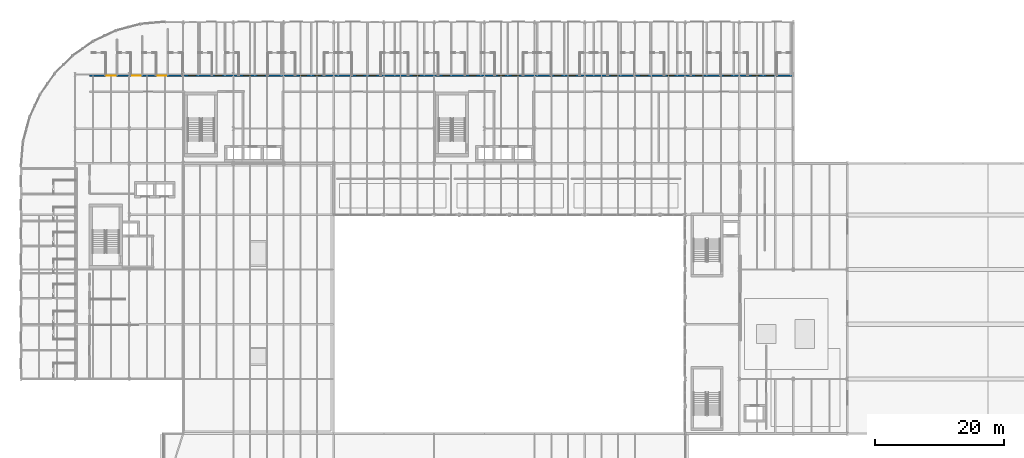
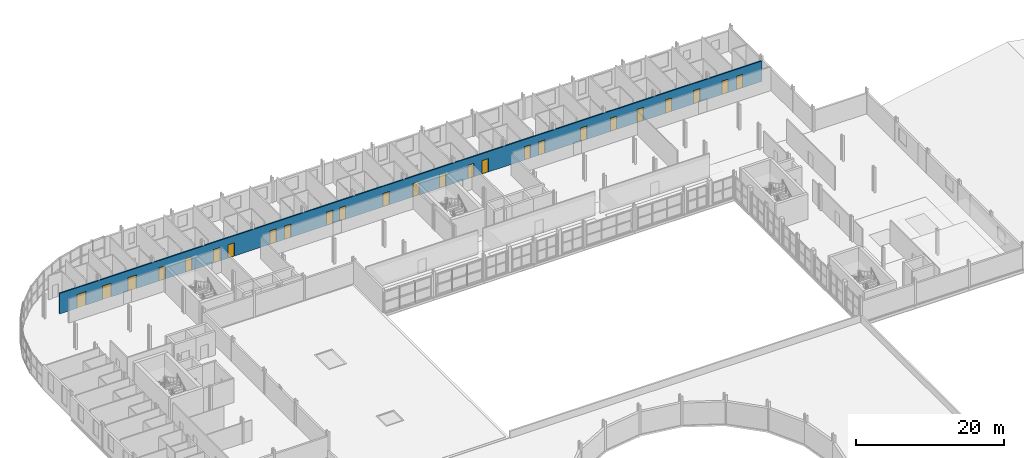
# One storey, part 46 of 58: 25 doors, 1 wall, 25 openings.
"""IFC4 building model written with IfcOpenShell, lengths in metres."""

from ifc_helpers import new_model, si_unit, direction, frame, frame_2d, origin, place, context, subcontext, project, spatial, rectangle, extrude, material, layer, layer_set, type_object, element, fill, save


model = new_model("IFC4")

# Units and contexts
model_context = context("Model", 3, precision=1e-05, world=origin(), true_north=direction((0.0, 1.0)))
body_context = subcontext(model_context, "Body", "Model", "MODEL_VIEW")
ifc_project = project(units=[si_unit("LENGTHUNIT", "METRE"), si_unit("AREAUNIT", "SQUARE_METRE"), si_unit("VOLUMEUNIT", "CUBIC_METRE"), si_unit("PLANEANGLEUNIT", "RADIAN"), si_unit("MASSUNIT", "GRAM", prefix="KILO")], contexts=[model_context])

# Site, building, storey
site_placement = place(None, origin())
site = spatial("IfcSite", under=ifc_project, at=site_placement, CompositionType="ELEMENT")
building_placement = place(site_placement, origin())
building = spatial("IfcBuilding", under=site, at=building_placement, Name="Sefraquen Railside Congress Hotel", CompositionType="ELEMENT")
storey_placement = place(building_placement, frame((0.0, 0.0, 16.199951171875)))
storey = spatial("IfcBuildingStorey", under=building, at=storey_placement, Name="L03", CompositionType="ELEMENT", Elevation=16.199951171875)

# Wall, openings, doors
ifc_material_1 = material(Name="Acoustic gypsum board on metal stud", Category="gypsum")
ifc_layer = layer(ifc_material_1, 0.199951171875)
ifc_layer_set = layer_set([ifc_layer], Name="Acoustic gypsum board on metal stud")
wall_type = type_object("IfcWallType", Name="TW-PW-200", PredefinedType="PARTITIONING", material=ifc_layer_set)
wall_placement = place(storey_placement, frame((10.64990234375, 109.60009765625, 0.0), z_axis=(0.0, 0.0, 1.0), x_axis=(1.0, 0.0, 0.0)))
wall = element("IfcWall", 1, at=wall_placement, inside=storey, type_object=wall_type, Name="Hotel L03 north corridor fire-rated partition", PredefinedType="PARTITIONING", context=body_context, shape_type="SweptSolid", body=[
    extrude(rectangle(XDim=109.210205078125, YDim=0.199951171875, at=frame_2d((54.60498046875, 0.0))), origin(), (0.0, 0.0, 1.0), 3.360107421875),
])
opening_1_placement = place(wall_placement, frame((15.429931640625, 0.0, 0.0)))
opening_1 = element("IfcOpeningElement", 2, at=opening_1_placement, cuts=wall, Name="Opening GD-01", PredefinedType="OPENING", context=body_context, shape_type="SweptSolid", body=[
    extrude(rectangle(XDim=1.02001953125, YDim=2.199951171875, at=frame_2d((0.510009765625, 1.10009765625))), frame((0.0, 0.10986328125, 0.0), z_axis=(0.0, -1.0, 0.0), x_axis=(1.0, 0.0, 0.0)), (0.0, 0.0, 1.0), 0.219970703125),
])
opening_2_placement = place(wall_placement, frame((19.537109375, 0.0, 0.0)))
opening_2 = element("IfcOpeningElement", 3, at=opening_2_placement, cuts=wall, Name="Opening GD-01", PredefinedType="OPENING", context=body_context, shape_type="SweptSolid", body=[
    extrude(rectangle(XDim=1.02001953125, YDim=2.199951171875, at=frame_2d((0.510009765625, 1.10009765625))), frame((0.0, 0.10986328125, 0.0), z_axis=(0.0, -1.0, 0.0), x_axis=(1.0, 0.0, 0.0)), (0.0, 0.0, 1.0), 0.219970703125),
])
opening_3_placement = place(wall_placement, frame((23.927978515625, 0.0, 0.0)))
opening_3 = element("IfcOpeningElement", 4, at=opening_3_placement, cuts=wall, Name="Opening GD-01", PredefinedType="OPENING", context=body_context, shape_type="SweptSolid", body=[
    extrude(rectangle(XDim=1.02001953125, YDim=2.199951171875, at=frame_2d((0.510009765625, 1.10009765625))), frame((0.0, 0.10986328125, 0.0), z_axis=(0.0, -1.0, 0.0), x_axis=(1.0, 0.0, 0.0)), (0.0, 0.0, 1.0), 0.219970703125),
])
opening_4_placement = place(wall_placement, frame((26.1689453125, 0.0, 0.0)))
opening_4 = element("IfcOpeningElement", 5, at=opening_4_placement, cuts=wall, Name="Opening GD-01", PredefinedType="OPENING", context=body_context, shape_type="SweptSolid", body=[
    extrude(rectangle(XDim=1.02001953125, YDim=2.199951171875, at=frame_2d((0.510009765625, 1.10009765625))), frame((0.0, 0.10986328125, 0.0), z_axis=(0.0, -1.0, 0.0), x_axis=(1.0, 0.0, 0.0)), (0.0, 0.0, 1.0), 0.219970703125),
])
opening_5_placement = place(wall_placement, frame((32.739013671875, 0.0, 0.0)))
opening_5 = element("IfcOpeningElement", 6, at=opening_5_placement, cuts=wall, Name="Opening GD-02", PredefinedType="OPENING", context=body_context, shape_type="SweptSolid", body=[
    extrude(rectangle(XDim=0.9599609375, YDim=2.199951171875, at=frame_2d((0.47998046875, 1.10009765625))), frame((0.0, 0.10986328125, 0.0), z_axis=(0.0, -1.0, 0.0), x_axis=(1.0, 0.0, 0.0)), (0.0, 0.0, 1.0), 0.219970703125),
])
opening_6_placement = place(wall_placement, frame((34.97998046875, 0.0, 0.0)))
opening_6 = element("IfcOpeningElement", 7, at=opening_6_placement, cuts=wall, Name="Opening GD-02", PredefinedType="OPENING", context=body_context, shape_type="SweptSolid", body=[
    extrude(rectangle(XDim=0.9599609375, YDim=2.199951171875, at=frame_2d((0.47998046875, 1.10009765625))), frame((0.0, 0.10986328125, 0.0), z_axis=(0.0, -1.0, 0.0), x_axis=(1.0, 0.0, 0.0)), (0.0, 0.0, 1.0), 0.219970703125),
])
opening_7_placement = place(wall_placement, frame((41.52099609375, 0.0, 0.0)))
opening_7 = element("IfcOpeningElement", 8, at=opening_7_placement, cuts=wall, Name="Opening GD-02", PredefinedType="OPENING", context=body_context, shape_type="SweptSolid", body=[
    extrude(rectangle(XDim=0.9599609375, YDim=2.199951171875, at=frame_2d((0.47998046875, 1.10009765625))), frame((0.0, 0.10986328125, 0.0), z_axis=(0.0, -1.0, 0.0), x_axis=(1.0, 0.0, 0.0)), (0.0, 0.0, 1.0), 0.219970703125),
])
opening_8_placement = place(wall_placement, frame((43.511962890625, 0.0, 0.0)))
opening_8 = element("IfcOpeningElement", 9, at=opening_8_placement, cuts=wall, Name="Opening GD-02", PredefinedType="OPENING", context=body_context, shape_type="SweptSolid", body=[
    extrude(rectangle(XDim=0.9599609375, YDim=2.199951171875, at=frame_2d((0.47998046875, 1.10009765625))), frame((0.0, 0.10986328125, 0.0), z_axis=(0.0, -1.0, 0.0), x_axis=(1.0, 0.0, 0.0)), (0.0, 0.0, 1.0), 0.219970703125),
])
opening_9_placement = place(wall_placement, frame((50.302978515625, 0.0, 0.0)))
opening_9 = element("IfcOpeningElement", 10, at=opening_9_placement, cuts=wall, Name="Opening GD-02", PredefinedType="OPENING", context=body_context, shape_type="SweptSolid", body=[
    extrude(rectangle(XDim=0.9599609375, YDim=2.199951171875, at=frame_2d((0.47998046875, 1.10009765625))), frame((0.0, 0.10986328125, 0.0), z_axis=(0.0, -1.0, 0.0), x_axis=(1.0, 0.0, 0.0)), (0.0, 0.0, 1.0), 0.219970703125),
])
opening_10_placement = place(wall_placement, frame((54.944091796875, 0.0, 0.0)))
opening_10 = element("IfcOpeningElement", 11, at=opening_10_placement, cuts=wall, Name="Opening GD-02", PredefinedType="OPENING", context=body_context, shape_type="SweptSolid", body=[
    extrude(rectangle(XDim=0.9599609375, YDim=2.199951171875, at=frame_2d((0.47998046875, 1.10009765625))), frame((0.0, 0.10986328125, 0.0), z_axis=(0.0, -1.0, 0.0), x_axis=(1.0, 0.0, 0.0)), (0.0, 0.0, 1.0), 0.219970703125),
])
opening_11_placement = place(wall_placement, frame((59.0849609375, 0.0, 0.0)))
opening_11 = element("IfcOpeningElement", 12, at=opening_11_placement, cuts=wall, Name="Opening GD-02", PredefinedType="OPENING", context=body_context, shape_type="SweptSolid", body=[
    extrude(rectangle(XDim=0.9599609375, YDim=2.199951171875, at=frame_2d((0.47998046875, 1.10009765625))), frame((0.0, 0.10986328125, 0.0), z_axis=(0.0, -1.0, 0.0), x_axis=(1.0, 0.0, 0.0)), (0.0, 0.0, 1.0), 0.219970703125),
])
opening_12_placement = place(wall_placement, frame((63.47607421875, 0.0, 0.0)))
opening_12 = element("IfcOpeningElement", 13, at=opening_12_placement, cuts=wall, Name="Opening GD-02", PredefinedType="OPENING", context=body_context, shape_type="SweptSolid", body=[
    extrude(rectangle(XDim=0.9599609375, YDim=2.199951171875, at=frame_2d((0.47998046875, 1.10009765625))), frame((0.0, 0.10986328125, 0.0), z_axis=(0.0, -1.0, 0.0), x_axis=(1.0, 0.0, 0.0)), (0.0, 0.0, 1.0), 0.219970703125),
])
opening_13_placement = place(wall_placement, frame((65.716064453125, 0.0, 0.0)))
opening_13 = element("IfcOpeningElement", 14, at=opening_13_placement, cuts=wall, Name="Opening GD-02", PredefinedType="OPENING", context=body_context, shape_type="SweptSolid", body=[
    extrude(rectangle(XDim=0.9599609375, YDim=2.199951171875, at=frame_2d((0.47998046875, 1.10009765625))), frame((0.0, 0.10986328125, 0.0), z_axis=(0.0, -1.0, 0.0), x_axis=(1.0, 0.0, 0.0)), (0.0, 0.0, 1.0), 0.219970703125),
])
opening_14_placement = place(wall_placement, frame((72.257080078125, 0.0, 0.0)))
opening_14 = element("IfcOpeningElement", 15, at=opening_14_placement, cuts=wall, Name="Opening GD-02", PredefinedType="OPENING", context=body_context, shape_type="SweptSolid", body=[
    extrude(rectangle(XDim=0.9599609375, YDim=2.199951171875, at=frame_2d((0.47998046875, 1.10009765625))), frame((0.0, 0.10986328125, 0.0), z_axis=(0.0, -1.0, 0.0), x_axis=(1.0, 0.0, 0.0)), (0.0, 0.0, 1.0), 0.219970703125),
])
opening_15_placement = place(wall_placement, frame((74.498046875, 0.0, 0.0)))
opening_15 = element("IfcOpeningElement", 16, at=opening_15_placement, cuts=wall, Name="Opening GD-02", PredefinedType="OPENING", context=body_context, shape_type="SweptSolid", body=[
    extrude(rectangle(XDim=0.9599609375, YDim=2.199951171875, at=frame_2d((0.47998046875, 1.10009765625))), frame((0.0, 0.10986328125, 0.0), z_axis=(0.0, -1.0, 0.0), x_axis=(1.0, 0.0, 0.0)), (0.0, 0.0, 1.0), 0.219970703125),
])
opening_16_placement = place(wall_placement, frame((81.0390625, 0.0, 0.0)))
opening_16 = element("IfcOpeningElement", 17, at=opening_16_placement, cuts=wall, Name="Opening GD-02", PredefinedType="OPENING", context=body_context, shape_type="SweptSolid", body=[
    extrude(rectangle(XDim=0.9599609375, YDim=2.199951171875, at=frame_2d((0.47998046875, 1.10009765625))), frame((0.0, 0.10986328125, 0.0), z_axis=(0.0, -1.0, 0.0), x_axis=(1.0, 0.0, 0.0)), (0.0, 0.0, 1.0), 0.219970703125),
])
opening_17_placement = place(wall_placement, frame((85.679931640625, 0.0, 0.0)))
opening_17 = element("IfcOpeningElement", 18, at=opening_17_placement, cuts=wall, Name="Opening GD-02", PredefinedType="OPENING", context=body_context, shape_type="SweptSolid", body=[
    extrude(rectangle(XDim=0.9599609375, YDim=2.199951171875, at=frame_2d((0.47998046875, 1.10009765625))), frame((0.0, 0.10986328125, 0.0), z_axis=(0.0, -1.0, 0.0), x_axis=(1.0, 0.0, 0.0)), (0.0, 0.0, 1.0), 0.219970703125),
])
opening_18_placement = place(wall_placement, frame((89.820068359375, 0.0, 0.0)))
opening_18 = element("IfcOpeningElement", 19, at=opening_18_placement, cuts=wall, Name="Opening GD-02", PredefinedType="OPENING", context=body_context, shape_type="SweptSolid", body=[
    extrude(rectangle(XDim=0.9599609375, YDim=2.199951171875, at=frame_2d((0.47998046875, 1.10009765625))), frame((0.0, 0.10986328125, 0.0), z_axis=(0.0, -1.0, 0.0), x_axis=(1.0, 0.0, 0.0)), (0.0, 0.0, 1.0), 0.219970703125),
])
opening_19_placement = place(wall_placement, frame((94.2109375, 0.0, 0.0)))
opening_19 = element("IfcOpeningElement", 20, at=opening_19_placement, cuts=wall, Name="Opening GD-02", PredefinedType="OPENING", context=body_context, shape_type="SweptSolid", body=[
    extrude(rectangle(XDim=0.9599609375, YDim=2.199951171875, at=frame_2d((0.47998046875, 1.10009765625))), frame((0.0, 0.10986328125, 0.0), z_axis=(0.0, -1.0, 0.0), x_axis=(1.0, 0.0, 0.0)), (0.0, 0.0, 1.0), 0.219970703125),
])
opening_20_placement = place(wall_placement, frame((98.60205078125, 0.0, 0.0)))
opening_20 = element("IfcOpeningElement", 21, at=opening_20_placement, cuts=wall, Name="Opening GD-02", PredefinedType="OPENING", context=body_context, shape_type="SweptSolid", body=[
    extrude(rectangle(XDim=0.9599609375, YDim=2.199951171875, at=frame_2d((0.47998046875, 1.10009765625))), frame((0.0, 0.10986328125, 0.0), z_axis=(0.0, -1.0, 0.0), x_axis=(1.0, 0.0, 0.0)), (0.0, 0.0, 1.0), 0.219970703125),
])
opening_21_placement = place(wall_placement, frame((102.992919921875, 0.0, 0.0)))
opening_21 = element("IfcOpeningElement", 22, at=opening_21_placement, cuts=wall, Name="Opening GD-02", PredefinedType="OPENING", context=body_context, shape_type="SweptSolid", body=[
    extrude(rectangle(XDim=0.9599609375, YDim=2.199951171875, at=frame_2d((0.47998046875, 1.10009765625))), frame((0.0, 0.10986328125, 0.0), z_axis=(0.0, -1.0, 0.0), x_axis=(1.0, 0.0, 0.0)), (0.0, 0.0, 1.0), 0.219970703125),
])
opening_22_placement = place(wall_placement, frame((105.26904296875, 0.0, 0.0)))
opening_22 = element("IfcOpeningElement", 23, at=opening_22_placement, cuts=wall, Name="Opening GD-02", PredefinedType="OPENING", context=body_context, shape_type="SweptSolid", body=[
    extrude(rectangle(XDim=0.9599609375, YDim=2.199951171875, at=frame_2d((0.47998046875, 1.10009765625))), frame((0.0, 0.10986328125, 0.0), z_axis=(0.0, -1.0, 0.0), x_axis=(1.0, 0.0, 0.0)), (0.0, 0.0, 1.0), 0.219970703125),
])
opening_23_placement = place(wall_placement, frame((2.716064453125, 0.0, 0.0)))
opening_23 = element("IfcOpeningElement", 24, at=opening_23_placement, cuts=wall, Name="Opening GD-03", PredefinedType="OPENING", context=body_context, shape_type="SweptSolid", body=[
    extrude(rectangle(XDim=1.35009765625, YDim=2.25, at=frame_2d((0.675048828125, 1.125))), frame((0.0, 0.10986328125, 0.0), z_axis=(0.0, -1.0, 0.0), x_axis=(1.0, 0.0, 0.0)), (0.0, 0.0, 1.0), 0.219970703125),
])
opening_24_placement = place(wall_placement, frame((6.64990234375, 0.0, 0.0)))
opening_24 = element("IfcOpeningElement", 25, at=opening_24_placement, cuts=wall, Name="Opening GD-03", PredefinedType="OPENING", context=body_context, shape_type="SweptSolid", body=[
    extrude(rectangle(XDim=1.35009765625, YDim=2.25, at=frame_2d((0.675048828125, 1.125))), frame((0.0, 0.10986328125, 0.0), z_axis=(0.0, -1.0, 0.0), x_axis=(1.0, 0.0, 0.0)), (0.0, 0.0, 1.0), 0.219970703125),
])
opening_25_placement = place(wall_placement, frame((10.5830078125, 0.0, 0.0)))
opening_25 = element("IfcOpeningElement", 26, at=opening_25_placement, cuts=wall, Name="Opening GD-03", PredefinedType="OPENING", context=body_context, shape_type="SweptSolid", body=[
    extrude(rectangle(XDim=1.35009765625, YDim=2.25, at=frame_2d((0.675048828125, 1.125))), frame((0.0, 0.10986328125, 0.0), z_axis=(0.0, -1.0, 0.0), x_axis=(1.0, 0.0, 0.0)), (0.0, 0.0, 1.0), 0.219970703125),
])
ifc_material_2 = material(Name="Solid Atlas cedar timber fire leaf", Category="wood")
door_type_1 = type_object("IfcDoorType", Name="TD-GD-01", OperationType="NOTDEFINED", PredefinedType="DOOR", material=ifc_material_2)
door_1_placement = place(opening_1_placement, origin())
door_1 = element("IfcDoor", 27, at=door_1_placement, inside=storey, type_object=door_type_1, Name="Guest room entrance fire door RM-001", OperationType="SINGLE_SWING_RIGHT", OverallHeight=2.199951171875, OverallWidth=1.02001953125, PredefinedType="DOOR", context=body_context, shape_type="SweptSolid", body=[
    extrude(rectangle(XDim=1.02001953125, YDim=2.199951171875, at=frame_2d((0.510009765625, 1.10009765625))), frame((0.0, 0.02490234375, 0.0), z_axis=(0.0, -1.0, 0.0), x_axis=(1.0, 0.0, 0.0)), (0.0, 0.0, 1.0), 0.050048828125),
])
fill(opening_1, door_1)
door_2_placement = place(opening_2_placement, origin())
door_2 = element("IfcDoor", 28, at=door_2_placement, inside=storey, type_object=door_type_1, Name="Guest room entrance fire door RM-002", OperationType="SINGLE_SWING_RIGHT", OverallHeight=2.199951171875, OverallWidth=1.02001953125, PredefinedType="DOOR", context=body_context, shape_type="SweptSolid", body=[
    extrude(rectangle(XDim=1.02001953125, YDim=2.199951171875, at=frame_2d((0.510009765625, 1.10009765625))), frame((0.0, 0.02490234375, 0.0), z_axis=(0.0, -1.0, 0.0), x_axis=(1.0, 0.0, 0.0)), (0.0, 0.0, 1.0), 0.050048828125),
])
fill(opening_2, door_2)
door_3_placement = place(opening_3_placement, origin())
door_3 = element("IfcDoor", 29, at=door_3_placement, inside=storey, type_object=door_type_1, Name="Guest room entrance fire door RM-003", OperationType="SINGLE_SWING_RIGHT", OverallHeight=2.199951171875, OverallWidth=1.02001953125, PredefinedType="DOOR", context=body_context, shape_type="SweptSolid", body=[
    extrude(rectangle(XDim=1.02001953125, YDim=2.199951171875, at=frame_2d((0.510009765625, 1.10009765625))), frame((0.0, 0.02490234375, 0.0), z_axis=(0.0, -1.0, 0.0), x_axis=(1.0, 0.0, 0.0)), (0.0, 0.0, 1.0), 0.050048828125),
])
fill(opening_3, door_3)
door_4_placement = place(opening_4_placement, origin())
door_4 = element("IfcDoor", 30, at=door_4_placement, inside=storey, type_object=door_type_1, Name="Guest room entrance fire door RM-004", OperationType="SINGLE_SWING_RIGHT", OverallHeight=2.199951171875, OverallWidth=1.02001953125, PredefinedType="DOOR", context=body_context, shape_type="SweptSolid", body=[
    extrude(rectangle(XDim=1.02001953125, YDim=2.199951171875, at=frame_2d((0.510009765625, 1.10009765625))), frame((0.0, 0.02490234375, 0.0), z_axis=(0.0, -1.0, 0.0), x_axis=(1.0, 0.0, 0.0)), (0.0, 0.0, 1.0), 0.050048828125),
])
fill(opening_4, door_4)
door_type_2 = type_object("IfcDoorType", Name="TD-GD-02", OperationType="NOTDEFINED", PredefinedType="DOOR", material=ifc_material_2)
door_5_placement = place(opening_5_placement, origin())
door_5 = element("IfcDoor", 31, at=door_5_placement, inside=storey, type_object=door_type_2, Name="Guest room entrance fire door RM-005", OperationType="SINGLE_SWING_RIGHT", OverallHeight=2.199951171875, OverallWidth=0.9599609375, PredefinedType="DOOR", context=body_context, shape_type="SweptSolid", body=[
    extrude(rectangle(XDim=0.9599609375, YDim=2.199951171875, at=frame_2d((0.47998046875, 1.10009765625))), frame((0.0, 0.02490234375, 0.0), z_axis=(0.0, -1.0, 0.0), x_axis=(1.0, 0.0, 0.0)), (0.0, 0.0, 1.0), 0.050048828125),
])
fill(opening_5, door_5)
door_6_placement = place(opening_6_placement, origin())
door_6 = element("IfcDoor", 32, at=door_6_placement, inside=storey, type_object=door_type_2, Name="Guest room entrance fire door RM-006", OperationType="SINGLE_SWING_RIGHT", OverallHeight=2.199951171875, OverallWidth=0.9599609375, PredefinedType="DOOR", context=body_context, shape_type="SweptSolid", body=[
    extrude(rectangle(XDim=0.9599609375, YDim=2.199951171875, at=frame_2d((0.47998046875, 1.10009765625))), frame((0.0, 0.02490234375, 0.0), z_axis=(0.0, -1.0, 0.0), x_axis=(1.0, 0.0, 0.0)), (0.0, 0.0, 1.0), 0.050048828125),
])
fill(opening_6, door_6)
door_7_placement = place(opening_7_placement, origin())
door_7 = element("IfcDoor", 33, at=door_7_placement, inside=storey, type_object=door_type_2, Name="Guest room entrance fire door RM-007", OperationType="SINGLE_SWING_RIGHT", OverallHeight=2.199951171875, OverallWidth=0.9599609375, PredefinedType="DOOR", context=body_context, shape_type="SweptSolid", body=[
    extrude(rectangle(XDim=0.9599609375, YDim=2.199951171875, at=frame_2d((0.47998046875, 1.10009765625))), frame((0.0, 0.02490234375, 0.0), z_axis=(0.0, -1.0, 0.0), x_axis=(1.0, 0.0, 0.0)), (0.0, 0.0, 1.0), 0.050048828125),
])
fill(opening_7, door_7)
door_8_placement = place(opening_8_placement, origin())
door_8 = element("IfcDoor", 34, at=door_8_placement, inside=storey, type_object=door_type_2, Name="Guest room entrance fire door RM-008", OperationType="SINGLE_SWING_RIGHT", OverallHeight=2.199951171875, OverallWidth=0.9599609375, PredefinedType="DOOR", context=body_context, shape_type="SweptSolid", body=[
    extrude(rectangle(XDim=0.9599609375, YDim=2.199951171875, at=frame_2d((0.47998046875, 1.10009765625))), frame((0.0, 0.02490234375, 0.0), z_axis=(0.0, -1.0, 0.0), x_axis=(1.0, 0.0, 0.0)), (0.0, 0.0, 1.0), 0.050048828125),
])
fill(opening_8, door_8)
door_9_placement = place(opening_9_placement, origin())
door_9 = element("IfcDoor", 35, at=door_9_placement, inside=storey, type_object=door_type_2, Name="Guest room entrance fire door RM-009", OperationType="SINGLE_SWING_RIGHT", OverallHeight=2.199951171875, OverallWidth=0.9599609375, PredefinedType="DOOR", context=body_context, shape_type="SweptSolid", body=[
    extrude(rectangle(XDim=0.9599609375, YDim=2.199951171875, at=frame_2d((0.47998046875, 1.10009765625))), frame((0.0, 0.02490234375, 0.0), z_axis=(0.0, -1.0, 0.0), x_axis=(1.0, 0.0, 0.0)), (0.0, 0.0, 1.0), 0.050048828125),
])
fill(opening_9, door_9)
door_10_placement = place(opening_10_placement, origin())
door_10 = element("IfcDoor", 36, at=door_10_placement, inside=storey, type_object=door_type_2, Name="Guest room entrance fire door RM-010", OperationType="SINGLE_SWING_RIGHT", OverallHeight=2.199951171875, OverallWidth=0.9599609375, PredefinedType="DOOR", context=body_context, shape_type="SweptSolid", body=[
    extrude(rectangle(XDim=0.9599609375, YDim=2.199951171875, at=frame_2d((0.47998046875, 1.10009765625))), frame((0.0, 0.02490234375, 0.0), z_axis=(0.0, -1.0, 0.0), x_axis=(1.0, 0.0, 0.0)), (0.0, 0.0, 1.0), 0.050048828125),
])
fill(opening_10, door_10)
door_11_placement = place(opening_11_placement, origin())
door_11 = element("IfcDoor", 37, at=door_11_placement, inside=storey, type_object=door_type_2, Name="Guest room entrance fire door RM-011", OperationType="SINGLE_SWING_RIGHT", OverallHeight=2.199951171875, OverallWidth=0.9599609375, PredefinedType="DOOR", context=body_context, shape_type="SweptSolid", body=[
    extrude(rectangle(XDim=0.9599609375, YDim=2.199951171875, at=frame_2d((0.47998046875, 1.10009765625))), frame((0.0, 0.02490234375, 0.0), z_axis=(0.0, -1.0, 0.0), x_axis=(1.0, 0.0, 0.0)), (0.0, 0.0, 1.0), 0.050048828125),
])
fill(opening_11, door_11)
door_12_placement = place(opening_12_placement, origin())
door_12 = element("IfcDoor", 38, at=door_12_placement, inside=storey, type_object=door_type_2, Name="Guest room entrance fire door RM-012", OperationType="SINGLE_SWING_RIGHT", OverallHeight=2.199951171875, OverallWidth=0.9599609375, PredefinedType="DOOR", context=body_context, shape_type="SweptSolid", body=[
    extrude(rectangle(XDim=0.9599609375, YDim=2.199951171875, at=frame_2d((0.47998046875, 1.10009765625))), frame((0.0, 0.02490234375, 0.0), z_axis=(0.0, -1.0, 0.0), x_axis=(1.0, 0.0, 0.0)), (0.0, 0.0, 1.0), 0.050048828125),
])
fill(opening_12, door_12)
door_13_placement = place(opening_13_placement, origin())
door_13 = element("IfcDoor", 39, at=door_13_placement, inside=storey, type_object=door_type_2, Name="Guest room entrance fire door RM-013", OperationType="SINGLE_SWING_RIGHT", OverallHeight=2.199951171875, OverallWidth=0.9599609375, PredefinedType="DOOR", context=body_context, shape_type="SweptSolid", body=[
    extrude(rectangle(XDim=0.9599609375, YDim=2.199951171875, at=frame_2d((0.47998046875, 1.10009765625))), frame((0.0, 0.02490234375, 0.0), z_axis=(0.0, -1.0, 0.0), x_axis=(1.0, 0.0, 0.0)), (0.0, 0.0, 1.0), 0.050048828125),
])
fill(opening_13, door_13)
door_14_placement = place(opening_14_placement, origin())
door_14 = element("IfcDoor", 40, at=door_14_placement, inside=storey, type_object=door_type_2, Name="Guest room entrance fire door RM-014", OperationType="SINGLE_SWING_RIGHT", OverallHeight=2.199951171875, OverallWidth=0.9599609375, PredefinedType="DOOR", context=body_context, shape_type="SweptSolid", body=[
    extrude(rectangle(XDim=0.9599609375, YDim=2.199951171875, at=frame_2d((0.47998046875, 1.10009765625))), frame((0.0, 0.02490234375, 0.0), z_axis=(0.0, -1.0, 0.0), x_axis=(1.0, 0.0, 0.0)), (0.0, 0.0, 1.0), 0.050048828125),
])
fill(opening_14, door_14)
door_15_placement = place(opening_15_placement, origin())
door_15 = element("IfcDoor", 41, at=door_15_placement, inside=storey, type_object=door_type_2, Name="Guest room entrance fire door RM-015", OperationType="SINGLE_SWING_RIGHT", OverallHeight=2.199951171875, OverallWidth=0.9599609375, PredefinedType="DOOR", context=body_context, shape_type="SweptSolid", body=[
    extrude(rectangle(XDim=0.9599609375, YDim=2.199951171875, at=frame_2d((0.47998046875, 1.10009765625))), frame((0.0, 0.02490234375, 0.0), z_axis=(0.0, -1.0, 0.0), x_axis=(1.0, 0.0, 0.0)), (0.0, 0.0, 1.0), 0.050048828125),
])
fill(opening_15, door_15)
door_16_placement = place(opening_16_placement, origin())
door_16 = element("IfcDoor", 42, at=door_16_placement, inside=storey, type_object=door_type_2, Name="Guest room entrance fire door RM-016", OperationType="SINGLE_SWING_RIGHT", OverallHeight=2.199951171875, OverallWidth=0.9599609375, PredefinedType="DOOR", context=body_context, shape_type="SweptSolid", body=[
    extrude(rectangle(XDim=0.9599609375, YDim=2.199951171875, at=frame_2d((0.47998046875, 1.10009765625))), frame((0.0, 0.02490234375, 0.0), z_axis=(0.0, -1.0, 0.0), x_axis=(1.0, 0.0, 0.0)), (0.0, 0.0, 1.0), 0.050048828125),
])
fill(opening_16, door_16)
door_17_placement = place(opening_17_placement, origin())
door_17 = element("IfcDoor", 43, at=door_17_placement, inside=storey, type_object=door_type_2, Name="Guest room entrance fire door RM-017", OperationType="SINGLE_SWING_RIGHT", OverallHeight=2.199951171875, OverallWidth=0.9599609375, PredefinedType="DOOR", context=body_context, shape_type="SweptSolid", body=[
    extrude(rectangle(XDim=0.9599609375, YDim=2.199951171875, at=frame_2d((0.47998046875, 1.10009765625))), frame((0.0, 0.02490234375, 0.0), z_axis=(0.0, -1.0, 0.0), x_axis=(1.0, 0.0, 0.0)), (0.0, 0.0, 1.0), 0.050048828125),
])
fill(opening_17, door_17)
door_18_placement = place(opening_18_placement, origin())
door_18 = element("IfcDoor", 44, at=door_18_placement, inside=storey, type_object=door_type_2, Name="Guest room entrance fire door RM-018", OperationType="SINGLE_SWING_RIGHT", OverallHeight=2.199951171875, OverallWidth=0.9599609375, PredefinedType="DOOR", context=body_context, shape_type="SweptSolid", body=[
    extrude(rectangle(XDim=0.9599609375, YDim=2.199951171875, at=frame_2d((0.47998046875, 1.10009765625))), frame((0.0, 0.02490234375, 0.0), z_axis=(0.0, -1.0, 0.0), x_axis=(1.0, 0.0, 0.0)), (0.0, 0.0, 1.0), 0.050048828125),
])
fill(opening_18, door_18)
door_19_placement = place(opening_19_placement, origin())
door_19 = element("IfcDoor", 45, at=door_19_placement, inside=storey, type_object=door_type_2, Name="Guest room entrance fire door RM-019", OperationType="SINGLE_SWING_RIGHT", OverallHeight=2.199951171875, OverallWidth=0.9599609375, PredefinedType="DOOR", context=body_context, shape_type="SweptSolid", body=[
    extrude(rectangle(XDim=0.9599609375, YDim=2.199951171875, at=frame_2d((0.47998046875, 1.10009765625))), frame((0.0, 0.02490234375, 0.0), z_axis=(0.0, -1.0, 0.0), x_axis=(1.0, 0.0, 0.0)), (0.0, 0.0, 1.0), 0.050048828125),
])
fill(opening_19, door_19)
door_20_placement = place(opening_20_placement, origin())
door_20 = element("IfcDoor", 46, at=door_20_placement, inside=storey, type_object=door_type_2, Name="Guest room entrance fire door RM-020", OperationType="SINGLE_SWING_RIGHT", OverallHeight=2.199951171875, OverallWidth=0.9599609375, PredefinedType="DOOR", context=body_context, shape_type="SweptSolid", body=[
    extrude(rectangle(XDim=0.9599609375, YDim=2.199951171875, at=frame_2d((0.47998046875, 1.10009765625))), frame((0.0, 0.02490234375, 0.0), z_axis=(0.0, -1.0, 0.0), x_axis=(1.0, 0.0, 0.0)), (0.0, 0.0, 1.0), 0.050048828125),
])
fill(opening_20, door_20)
door_21_placement = place(opening_21_placement, origin())
door_21 = element("IfcDoor", 47, at=door_21_placement, inside=storey, type_object=door_type_2, Name="Guest room entrance fire door RM-021", OperationType="SINGLE_SWING_RIGHT", OverallHeight=2.199951171875, OverallWidth=0.9599609375, PredefinedType="DOOR", context=body_context, shape_type="SweptSolid", body=[
    extrude(rectangle(XDim=0.9599609375, YDim=2.199951171875, at=frame_2d((0.47998046875, 1.10009765625))), frame((0.0, 0.02490234375, 0.0), z_axis=(0.0, -1.0, 0.0), x_axis=(1.0, 0.0, 0.0)), (0.0, 0.0, 1.0), 0.050048828125),
])
fill(opening_21, door_21)
door_22_placement = place(opening_22_placement, origin())
door_22 = element("IfcDoor", 48, at=door_22_placement, inside=storey, type_object=door_type_2, Name="Guest room entrance fire door RM-022", OperationType="SINGLE_SWING_RIGHT", OverallHeight=2.199951171875, OverallWidth=0.9599609375, PredefinedType="DOOR", context=body_context, shape_type="SweptSolid", body=[
    extrude(rectangle(XDim=0.9599609375, YDim=2.199951171875, at=frame_2d((0.47998046875, 1.10009765625))), frame((0.0, 0.02490234375, 0.0), z_axis=(0.0, -1.0, 0.0), x_axis=(1.0, 0.0, 0.0)), (0.0, 0.0, 1.0), 0.050048828125),
])
fill(opening_22, door_22)
door_type_3 = type_object("IfcDoorType", Name="TD-GD-03", OperationType="NOTDEFINED", PredefinedType="DOOR", material=ifc_material_2)
door_23_placement = place(opening_23_placement, origin())
door_23 = element("IfcDoor", 49, at=door_23_placement, inside=storey, type_object=door_type_3, Name="Guest room entrance fire door RM-031", OperationType="DOUBLE_SWING_LEFT", OverallHeight=2.25, OverallWidth=1.35009765625, PredefinedType="DOOR", context=body_context, shape_type="SweptSolid", body=[
    extrude(rectangle(XDim=1.35009765625, YDim=2.25, at=frame_2d((0.675048828125, 1.125))), frame((0.0, 0.02490234375, 0.0), z_axis=(0.0, -1.0, 0.0), x_axis=(1.0, 0.0, 0.0)), (0.0, 0.0, 1.0), 0.050048828125),
])
fill(opening_23, door_23)
door_24_placement = place(opening_24_placement, origin())
door_24 = element("IfcDoor", 50, at=door_24_placement, inside=storey, type_object=door_type_3, Name="Guest room entrance fire door RM-032", OperationType="DOUBLE_SWING_LEFT", OverallHeight=2.25, OverallWidth=1.35009765625, PredefinedType="DOOR", context=body_context, shape_type="SweptSolid", body=[
    extrude(rectangle(XDim=1.35009765625, YDim=2.25, at=frame_2d((0.675048828125, 1.125))), frame((0.0, 0.02490234375, 0.0), z_axis=(0.0, -1.0, 0.0), x_axis=(1.0, 0.0, 0.0)), (0.0, 0.0, 1.0), 0.050048828125),
])
fill(opening_24, door_24)
door_25_placement = place(opening_25_placement, origin())
door_25 = element("IfcDoor", 51, at=door_25_placement, inside=storey, type_object=door_type_3, Name="Guest room entrance fire door RM-033", OperationType="DOUBLE_SWING_LEFT", OverallHeight=2.25, OverallWidth=1.35009765625, PredefinedType="DOOR", context=body_context, shape_type="SweptSolid", body=[
    extrude(rectangle(XDim=1.35009765625, YDim=2.25, at=frame_2d((0.675048828125, 1.125))), frame((0.0, 0.02490234375, 0.0), z_axis=(0.0, -1.0, 0.0), x_axis=(1.0, 0.0, 0.0)), (0.0, 0.0, 1.0), 0.050048828125),
])
fill(opening_25, door_25)

save(model, "model.ifc")
